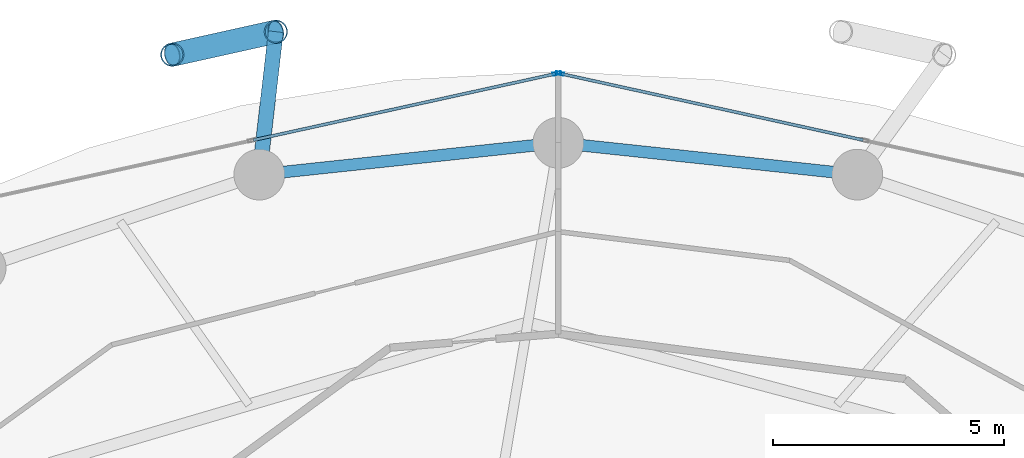
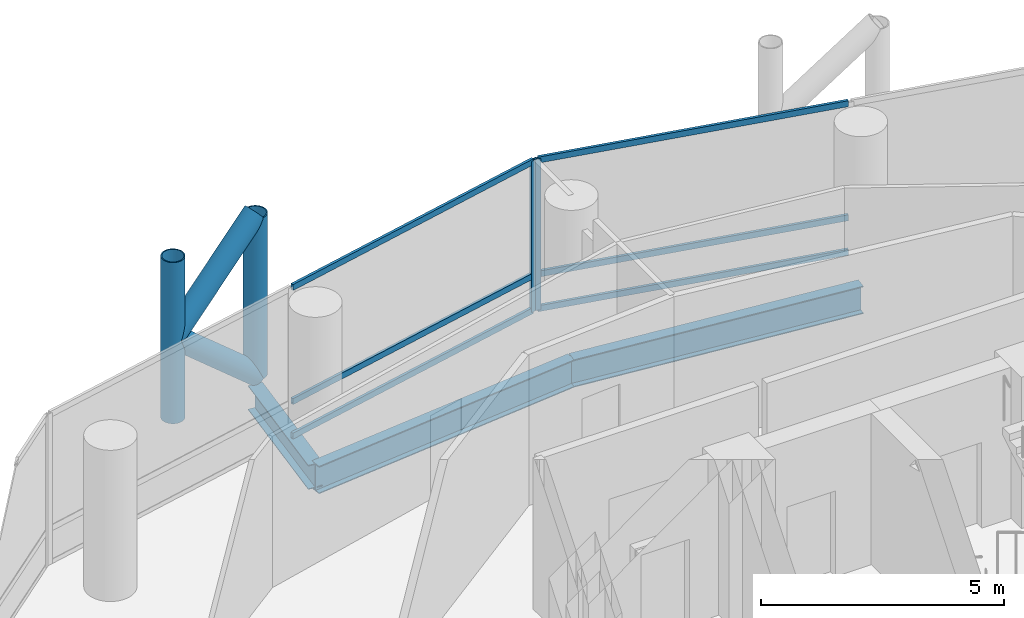
# One storey, part 16 of 26: 12 members, 3 beams, 2 elements without a shape of their own.
"""IFC4 building model written with IfcOpenShell, lengths in metres."""

from ifc_helpers import new_model, si_unit, direction, frame, origin, origin_2d, place, context, subcontext, project, spatial, hollow_rectangle, hollow_circle, i_section, extrude, material, layer, layer_set, material_profile, profile_set, type_object, element, aggregate, save


model = new_model("IFC4")

# Units and contexts
model_context = context("Model", 3, precision=1e-05, world=origin(), true_north=direction((0.0, 1.0)))
body_context = subcontext(model_context, "Body", "Model", "MODEL_VIEW")
ifc_project = project(units=[si_unit("LENGTHUNIT", "METRE"), si_unit("AREAUNIT", "SQUARE_METRE"), si_unit("VOLUMEUNIT", "CUBIC_METRE"), si_unit("PLANEANGLEUNIT", "RADIAN"), si_unit("MASSUNIT", "GRAM", prefix="KILO")], contexts=[model_context])

# Site, building, storey
site_placement = place(None, origin())
site = spatial("IfcSite", under=ifc_project, at=site_placement, CompositionType="ELEMENT")
building_placement = place(site_placement, origin())
building = spatial("IfcBuilding", under=site, at=building_placement, Name="Nuhasar Tower", CompositionType="ELEMENT")
storey_placement = place(building_placement, frame((0.0, 0.0, 53.39990234375)))
storey = spatial("IfcBuildingStorey", under=building, at=storey_placement, Name="L12", CompositionType="ELEMENT", Elevation=53.39990234375)

# Beams
ifc_material_1 = material(Name="Steel S355", Category="steel")
ifc_material_profile_1 = material_profile(ifc_material_1, i_section(OverallWidth=0.256103515625, OverallDepth=0.693115234375, WebThickness=0.014404296875, FlangeThickness=0.023681640625, at=origin_2d()), Name="W27X114")
ifc_profile_set_1 = profile_set([ifc_material_profile_1], Name="Steel S355")
beam_type_1 = type_object("IfcBeamType", Name="BM-RING-W27X114", PredefinedType="SPANDREL", material=ifc_profile_set_1)
for number, where, z_axis, x_axis, name in (
    (1, (45.48291015625, 46.360107421875, -0.60595703125), (-0.994384554061, 0.105827022286, 0.0), (-0.105827022286, -0.994384554061, 0.0), "L12 Perimeter Ring Spandrel 06"),
    (2, (39.0, 47.050048828125, -0.60595703125), (-0.994384554061, -0.105827022286, 0.0), (0.105827022286, -0.994384554061, 0.0), "L12 Perimeter Ring Spandrel 07"),
):
    element("IfcBeam", number, at=place(storey_placement, frame(where, z_axis=z_axis, x_axis=x_axis)), inside=storey, type_object=beam_type_1, Name=name, PredefinedType="SPANDREL", context=body_context, shape_type="SweptSolid", body=[
        extrude(i_section(OverallWidth=0.256103515625, OverallDepth=0.693115234375, WebThickness=0.014404296875, FlangeThickness=0.023681640625, at=origin_2d()), origin(), (0.0, 0.0, 1.0), 6.51953125),
    ])
ifc_material_profile_2 = material_profile(ifc_material_1, i_section(OverallWidth=0.323974609375, OverallDepth=0.611083984375, WebThickness=0.0126953125, FlangeThickness=0.01904296875, at=origin_2d()), Name="W24X104")
ifc_profile_set_2 = profile_set([ifc_material_profile_2], Name="Steel S355")
beam_type_2 = type_object("IfcBeamType", Name="BM-TIE-W24X104", PredefinedType="BEAM", material=ifc_profile_set_2)
beam_placement = place(storey_placement, frame((32.51708984375, 46.360107421875, -0.56591796875), z_axis=(0.115042934281, 0.993360520291, 0.0), x_axis=(-0.993360520291, 0.115042934281, 0.0)))
element("IfcBeam", 3, at=beam_placement, inside=storey, type_object=beam_type_2, Name="L12 Exoskeleton Node Tie Beam 04", PredefinedType="BEAM", context=body_context, shape_type="SweptSolid", body=[
    extrude(i_section(OverallWidth=0.323974609375, OverallDepth=0.611083984375, WebThickness=0.0126953125, FlangeThickness=0.01904296875, at=origin_2d()), origin(), (0.0, 0.0, 1.0), 3.11962890625),
])

# Curtain wall, member
ifc_material_2 = material(Name="Aluminium 6063-T6", Category="aluminium")
ifc_layer = layer(ifc_material_2, 0.199951171875)
ifc_layer_set = layer_set([ifc_layer], Name="Aluminium 6063-T6")
curtain_wall_type = type_object("IfcCurtainWallType", Name="CW-Z1-OFF", PredefinedType="NOTDEFINED", material=ifc_layer_set)
curtain_wall_1_placement = place(storey_placement, origin())
curtain_wall_1 = element("IfcCurtainWall", 4, at=curtain_wall_1_placement, inside=storey, type_object=curtain_wall_type, Name="L12 Unitised Curtain Wall 03", PredefinedType="NOTDEFINED")
ifc_material_profile_3 = material_profile(ifc_material_2, hollow_rectangle(XDim=0.06494140625, YDim=0.179931640625, WallThickness=0.0048828125, at=origin_2d()), Name="CWM-2")
ifc_profile_set_3 = profile_set([ifc_material_profile_3], Name="Aluminium 6063-T6")
member_type_1 = type_object("IfcMemberType", Name="CW-MUL-S2", PredefinedType="MULLION", material=ifc_profile_set_3)
member_1_placement = place(storey_placement, frame((39.03173828125, 48.552978515625, 0.0), z_axis=(0.0, 0.0, 1.0), x_axis=(-0.214398737637, -0.976746221544, 0.0)))
member_1 = element("IfcMember", 5, at=member_1_placement, type_object=member_type_1, Name="CW-Z1 mullion 3", PredefinedType="MULLION", context=body_context, shape_type="SweptSolid", body=[
    extrude(hollow_rectangle(XDim=0.06494140625, YDim=0.179931640625, WallThickness=0.0048828125, at=origin_2d()), origin(), (0.0, 0.0, 1.0), 3.800048828125),
])

curtain_wall_2_placement = place(storey_placement, origin())
curtain_wall_2 = element("IfcCurtainWall", 6, at=curtain_wall_2_placement, inside=storey, type_object=curtain_wall_type, Name="L12 Unitised Curtain Wall 04", PredefinedType="NOTDEFINED")
member_2_placement = place(storey_placement, frame((38.96826171875, 48.552978515625, 0.0), z_axis=(0.0, 0.0, 1.0), x_axis=(0.214398737637, -0.976746221544, 0.0)))
member_2 = element("IfcMember", 7, at=member_2_placement, type_object=member_type_1, Name="CW-Z1 mullion 1", PredefinedType="MULLION", context=body_context, shape_type="SweptSolid", body=[
    extrude(hollow_rectangle(XDim=0.06494140625, YDim=0.179931640625, WallThickness=0.0048828125, at=origin_2d()), origin(), (0.0, 0.0, 1.0), 3.800048828125),
])

# Member
ifc_material_profile_4 = material_profile(ifc_material_2, hollow_rectangle(XDim=0.06494140625, YDim=0.14990234375, WallThickness=0.00439453125, at=origin_2d()), Name="CWT-2")
ifc_profile_set_4 = profile_set([ifc_material_profile_4], Name="Aluminium 6063-T6")
member_type_2 = type_object("IfcMemberType", Name="CW-TRN-S2", PredefinedType="USERDEFINED", material=ifc_profile_set_4)
member_3_placement = place(storey_placement, frame((45.608154296875, 47.109375, 0.03271484375), z_axis=(-0.976740248595, 0.214425947065, 0.0), x_axis=(-0.214425947065, -0.976740248595, 0.0)))
member_3 = element("IfcMember", 8, at=member_3_placement, type_object=member_type_2, Name="CW-Z1 transom 2.1", ObjectType="TRANSOM", PredefinedType="USERDEFINED", context=body_context, shape_type="SweptSolid", body=[
    extrude(hollow_rectangle(XDim=0.06494140625, YDim=0.14990234375, WallThickness=0.00439453125, at=origin_2d()), origin(), (0.0, 0.0, 1.0), 6.700439453125),
])

member_4_placement = place(storey_placement, frame((45.608154296875, 47.109375, 0.900146484375), z_axis=(-0.976740248595, 0.214425947065, 0.0), x_axis=(-0.214425947065, -0.976740248595, 0.0)))
member_4 = element("IfcMember", 9, at=member_4_placement, type_object=member_type_2, Name="CW-Z1 transom 2.2", ObjectType="TRANSOM", PredefinedType="USERDEFINED", context=body_context, shape_type="SweptSolid", body=[
    extrude(hollow_rectangle(XDim=0.06494140625, YDim=0.14990234375, WallThickness=0.00439453125, at=origin_2d()), origin(), (0.0, 0.0, 1.0), 6.700439453125),
])

member_5_placement = place(storey_placement, frame((45.608154296875, 47.109375, 3.767578125), z_axis=(-0.976740248595, 0.214425947065, 0.0), x_axis=(-0.214425947065, -0.976740248595, 0.0)))
member_5 = element("IfcMember", 10, at=member_5_placement, type_object=member_type_2, Name="CW-Z1 transom 2.3", ObjectType="TRANSOM", PredefinedType="USERDEFINED", context=body_context, shape_type="SweptSolid", body=[
    extrude(hollow_rectangle(XDim=0.06494140625, YDim=0.14990234375, WallThickness=0.00439453125, at=origin_2d()), origin(), (0.0, 0.0, 1.0), 6.700439453125),
])

aggregate(curtain_wall_1, [member_1, member_3, member_4, member_5])

member_6_placement = place(storey_placement, frame((38.9365234375, 48.546142578125, 0.03271484375), z_axis=(-0.976740248595, -0.214425947065, 0.0), x_axis=(0.214425947065, -0.976740248595, 0.0)))
member_6 = element("IfcMember", 11, at=member_6_placement, type_object=member_type_2, Name="CW-Z1 transom 1.1", ObjectType="TRANSOM", PredefinedType="USERDEFINED", context=body_context, shape_type="SweptSolid", body=[
    extrude(hollow_rectangle(XDim=0.06494140625, YDim=0.14990234375, WallThickness=0.00439453125, at=origin_2d()), origin(), (0.0, 0.0, 1.0), 6.700439453125),
])

member_7_placement = place(storey_placement, frame((38.9365234375, 48.546142578125, 0.900146484375), z_axis=(-0.976740248595, -0.214425947065, 0.0), x_axis=(0.214425947065, -0.976740248595, 0.0)))
member_7 = element("IfcMember", 12, at=member_7_placement, type_object=member_type_2, Name="CW-Z1 transom 1.2", ObjectType="TRANSOM", PredefinedType="USERDEFINED", context=body_context, shape_type="SweptSolid", body=[
    extrude(hollow_rectangle(XDim=0.06494140625, YDim=0.14990234375, WallThickness=0.00439453125, at=origin_2d()), origin(), (0.0, 0.0, 1.0), 6.700439453125),
])

member_8_placement = place(storey_placement, frame((38.9365234375, 48.546142578125, 3.767578125), z_axis=(-0.976740248595, -0.214425947065, 0.0), x_axis=(0.214425947065, -0.976740248595, 0.0)))
member_8 = element("IfcMember", 13, at=member_8_placement, type_object=member_type_2, Name="CW-Z1 transom 1.3", ObjectType="TRANSOM", PredefinedType="USERDEFINED", context=body_context, shape_type="SweptSolid", body=[
    extrude(hollow_rectangle(XDim=0.06494140625, YDim=0.14990234375, WallThickness=0.00439453125, at=origin_2d()), origin(), (0.0, 0.0, 1.0), 6.700439453125),
])

aggregate(curtain_wall_2, [member_2, member_6, member_7, member_8])

# Members
ifc_material_3 = material(Name="Steel S460", Category="steel")
ifc_material_profile_5 = material_profile(ifc_material_3, hollow_circle(Radius=0.25390625, WallThickness=0.025390625, at=origin_2d()), Name="HSS508X25.4")
ifc_profile_set_5 = profile_set([ifc_material_profile_5], Name="Steel S460")
member_type_3 = type_object("IfcMemberType", Name="EXO-BRONZE-508", PredefinedType="BRACE", material=ifc_profile_set_5)
for number, where, z_axis, x_axis, name in (
    (14, (32.8759765625, 49.458984375, 0.0), (0.0, 0.0, 1.0), (1.0, 0.0, 0.0), "L12 Exoskeleton Chord Column EC-04A"),
    (15, (30.6298828125, 48.9599609375, 0.0), (0.0, 0.0, 1.0), (1.0, 0.0, 0.0), "L12 Exoskeleton Chord Column EC-04B"),
):
    element("IfcMember", number, at=place(storey_placement, frame(where, z_axis=z_axis, x_axis=x_axis)), inside=storey, type_object=member_type_3, Name=name, PredefinedType="BRACE", context=body_context, shape_type="SweptSolid", body=[
        extrude(hollow_circle(Radius=0.25390625, WallThickness=0.025390625, at=origin_2d()), origin(), (0.0, 0.0, 1.0), 4.050048828125),
    ])
member_9_placement = place(storey_placement, frame((32.8759765625, 49.458984375, 0.0), z_axis=(-0.732782908552, -0.162805246204, 0.660699372439), x_axis=(0.216885517571, -0.97619704582, 0.0)))
element("IfcMember", 16, at=member_9_placement, inside=storey, type_object=member_type_3, Name="L12 Bronze Diagrid Brace W1-04", PredefinedType="BRACE", context=body_context, shape_type="SweptSolid", body=[
    extrude(hollow_circle(Radius=0.25390625, WallThickness=0.025390625, at=origin_2d()), origin(), (0.0, 0.0, 1.0), 3.065185546875),
])
member_10_placement = place(storey_placement, frame((30.6298828125, 48.9599609375, 2.025146484375), z_axis=(0.732821471909, 0.162813813976, 0.660654487828), x_axis=(-0.216885517571, 0.97619704582, 0.0)))
element("IfcMember", 17, at=member_10_placement, inside=storey, type_object=member_type_3, Name="L12 Bronze Diagrid Brace W2-04", PredefinedType="BRACE", context=body_context, shape_type="SweptSolid", body=[
    extrude(hollow_circle(Radius=0.25390625, WallThickness=0.025390625, at=origin_2d()), origin(), (0.0, 0.0, 1.0), 3.06494140625),
])

save(model, "model.ifc")
